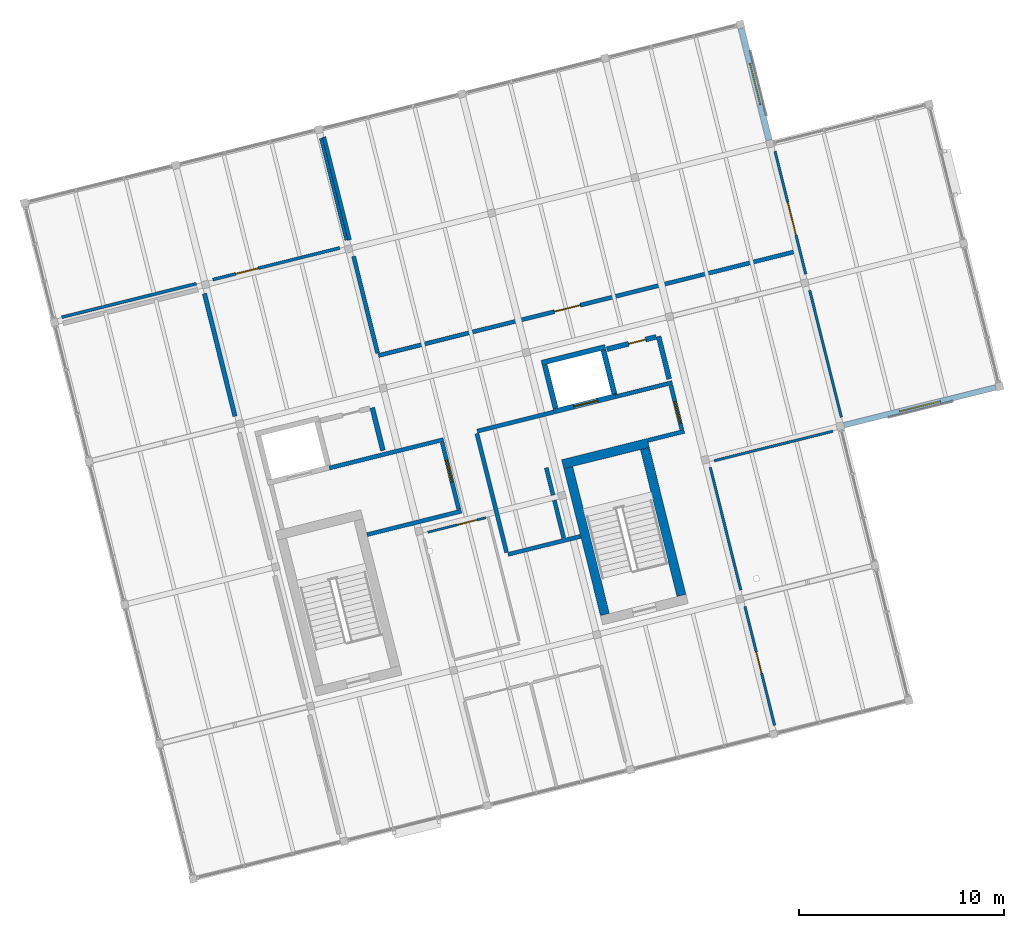
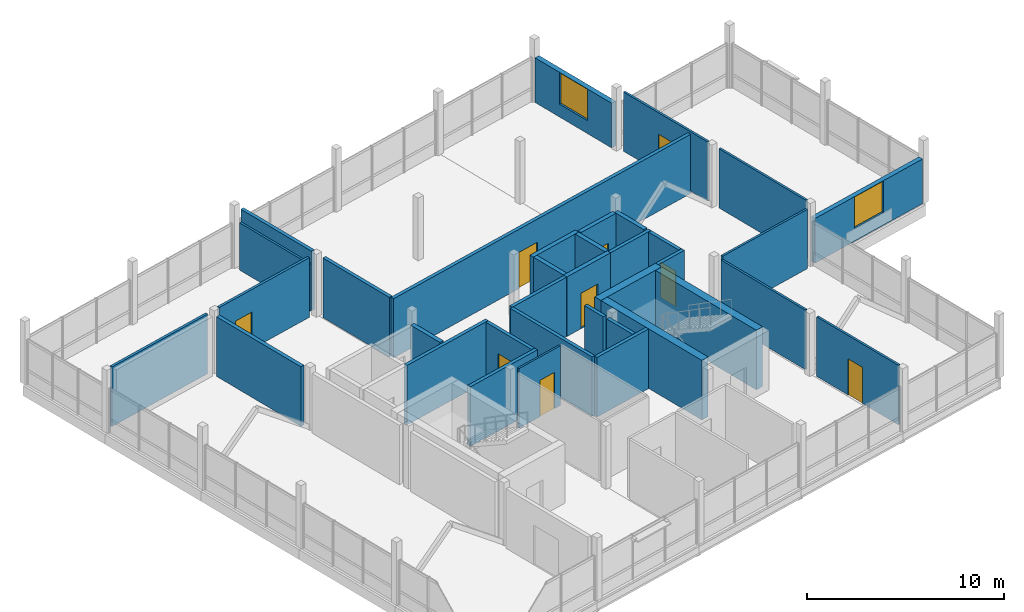
# One storey, part 24 of 26: 36 walls, 9 doors, 2 windows, 11 openings.
"""IFC4 building model written with IfcOpenShell, lengths in metres."""

from ifc_helpers import new_model, si_unit, direction, frame, frame_2d, origin, place, context, subcontext, project, spatial, rectangle, extrude, material, layer, layer_set, type_object, element, fill, save


model = new_model("IFC4")

# Units and contexts
model_context = context("Model", 3, precision=1e-05, world=origin(), true_north=direction((0.0, 1.0)))
body_context = subcontext(model_context, "Body", "Model", "MODEL_VIEW")
ifc_project = project(units=[si_unit("LENGTHUNIT", "METRE"), si_unit("AREAUNIT", "SQUARE_METRE"), si_unit("VOLUMEUNIT", "CUBIC_METRE"), si_unit("PLANEANGLEUNIT", "RADIAN"), si_unit("MASSUNIT", "GRAM", prefix="KILO")], contexts=[model_context])

# Site, building, storey
site_placement = place(None, origin())
site = spatial("IfcSite", under=ifc_project, at=site_placement, CompositionType="ELEMENT")
building_placement = place(site_placement, origin())
building = spatial("IfcBuilding", under=site, at=building_placement, Name="Meriwether Solvik Hall", CompositionType="ELEMENT")
storey_placement = place(building_placement, frame((0.0, 0.0, 41.699951171875)))
storey = spatial("IfcBuildingStorey", under=building, at=storey_placement, Name="L10", CompositionType="ELEMENT", Elevation=41.699951171875)

# Wall
ifc_material_1 = material(Name="Acoustic Mineral-Wool Double Gypsum Board", Category="gypsum")
ifc_layer_1 = layer(ifc_material_1, 0.219970703125)
ifc_layer_set_1 = layer_set([ifc_layer_1], Name="Acoustic Mineral-Wool Double Gypsum Board")
wall_type_1 = type_object("IfcWallType", Name="WALL-ACST-220", PredefinedType="PARTITIONING", material=ifc_layer_set_1)
wall_1_placement = place(storey_placement, frame((70.648193359375, 63.77978515625, 0.0), z_axis=(0.0, 0.0, 1.0), x_axis=(-0.241884380789, 0.970305078999, 0.0)))
element("IfcWall", 1, at=wall_1_placement, inside=storey, type_object=wall_type_1, Name="L10 Interior Partition conf_w_e_s4", PredefinedType="PARTITIONING", context=body_context, shape_type="SweptSolid", body=[
    extrude(rectangle(XDim=6.175048828125, YDim=0.219970703125, at=frame_2d((3.08740234375, 0.0))), origin(), (0.0, 0.0, 1.0), 3.699951171875),
])

# Wall, opening, window
ifc_material_2 = material(Name="Charred Western Red Cedar Timber and Mineral Wool", Category="wood")
ifc_layer_2 = layer(ifc_material_2, 0.27001953125)
ifc_layer_set_2 = layer_set([ifc_layer_2], Name="Charred Western Red Cedar Timber and Mineral Wool")
wall_type_2 = type_object("IfcWallType", Name="WALL-EXT-270", PredefinedType="SOLIDWALL", material=ifc_layer_set_2)
wall_2_placement = place(storey_placement, frame((107.765869140625, 65.1875, 0.0), z_axis=(0.0, 0.0, 1.0), x_axis=(-0.970302673932, -0.241894028369, 0.0)))
wall_2 = element("IfcWall", 2, at=wall_2_placement, inside=storey, type_object=wall_type_2, Name="L10 Timber Rainscreen Wall 3.0", PredefinedType="SOLIDWALL", context=body_context, shape_type="SweptSolid", body=[
    extrude(rectangle(XDim=7.611083984375, YDim=0.27001953125, at=frame_2d((3.8056640625, 0.0))), origin(), (0.0, 0.0, 1.0), 2.77001953125),
])
opening_1_placement = place(wall_2_placement, frame((2.780517578125, 0.0, 0.800048828125)))
opening_1 = element("IfcOpeningElement", 3, at=opening_1_placement, cuts=wall_2, Name="Opening WN-118", PredefinedType="OPENING", context=body_context, shape_type="SweptSolid", body=[
    extrude(rectangle(XDim=2.050048828125, YDim=1.949951171875, at=frame_2d((1.02490234375, 0.97509765625))), frame((0.0, 0.14697265625, 0.0), z_axis=(0.0, -1.0, 0.0), x_axis=(1.0, 0.0, 0.0)), (0.0, 0.0, 1.0), 0.2939453125),
])
ifc_material_3 = material(Name="Thermally Broken Anodised Aluminium and Triple Low-E Glass", Category="aluminium")
window_type = type_object("IfcWindowType", Name="WIN-TW-TRANS-205X195", PartitioningType="SINGLE_PANEL", PredefinedType="WINDOW", material=ifc_material_3)
window_1_placement = place(opening_1_placement, origin())
window_1 = element("IfcWindow", 4, at=window_1_placement, inside=storey, type_object=window_type, Name="L10 Punched Window 3.0", OverallHeight=1.949951171875, OverallWidth=2.050048828125, PartitioningType="SINGLE_PANEL", PredefinedType="WINDOW", context=body_context, shape_type="SweptSolid", body=[
    extrude(rectangle(XDim=2.050048828125, YDim=1.949951171875, at=frame_2d((1.02490234375, 0.97509765625))), frame((0.0, 0.030029296875, 0.0), z_axis=(0.0, -1.0, 0.0), x_axis=(1.0, 0.0, 0.0)), (0.0, 0.0, 1.0), 0.06005859375),
])
fill(opening_1, window_1)

ifc_material_4 = material(Name="Cross-Laminated Timber and Mineral-Wool Insulation", Category="wood")
ifc_layer_3 = layer(ifc_material_4, 0.2900390625)
ifc_layer_set_3 = layer_set([ifc_layer_3], Name="Cross-Laminated Timber and Mineral-Wool Insulation")
wall_type_3 = type_object("IfcWallType", Name="WALL-EXT-290", PredefinedType="SOLIDWALL", material=ifc_layer_set_3)
wall_3_placement = place(storey_placement, frame((95.352294921875, 82.71044921875, 0.0), z_axis=(0.0, 0.0, 1.0), x_axis=(0.241921303114, -0.970295873999, 0.0)))
wall_3 = element("IfcWall", 5, at=wall_3_placement, inside=storey, type_object=wall_type_3, Name="L10 Timber Rainscreen Wall 6.0", PredefinedType="SOLIDWALL", context=body_context, shape_type="SweptSolid", body=[
    extrude(rectangle(XDim=5.611083984375, YDim=0.2900390625, at=frame_2d((2.8056640625, 0.0))), origin(), (0.0, 0.0, 1.0), 2.77001953125),
])
opening_2_placement = place(wall_3_placement, frame((1.780517578125, 0.0, 0.800048828125)))
opening_2 = element("IfcOpeningElement", 6, at=opening_2_placement, cuts=wall_3, Name="Opening WN-118", PredefinedType="OPENING", context=body_context, shape_type="SweptSolid", body=[
    extrude(rectangle(XDim=2.050048828125, YDim=1.949951171875, at=frame_2d((1.02490234375, 0.97509765625))), frame((0.0, 0.156982421875, 0.0), z_axis=(0.0, -1.0, 0.0), x_axis=(1.0, 0.0, 0.0)), (0.0, 0.0, 1.0), 0.31396484375),
])
window_2_placement = place(opening_2_placement, origin())
window_2 = element("IfcWindow", 7, at=window_2_placement, inside=storey, type_object=window_type, Name="L10 Punched Window 6.0", OverallHeight=1.949951171875, OverallWidth=2.050048828125, PartitioningType="SINGLE_PANEL", PredefinedType="WINDOW", context=body_context, shape_type="SweptSolid", body=[
    extrude(rectangle(XDim=2.050048828125, YDim=1.949951171875, at=frame_2d((1.02490234375, 0.97509765625))), frame((0.0, 0.030029296875, 0.0), z_axis=(0.0, -1.0, 0.0), x_axis=(1.0, 0.0, 0.0)), (0.0, 0.0, 1.0), 0.06005859375),
])
fill(opening_2, window_2)

# Walls
ifc_material_5 = material(Name="Fire-Rated Type X Gypsum Board", Category="gypsum")
ifc_layer_4 = layer(ifc_material_5, 0.199951171875)
ifc_layer_set_4 = layer_set([ifc_layer_4], Name="Fire-Rated Type X Gypsum Board")
wall_type_4 = type_object("IfcWallType", Name="WALL-FIRE-200", PredefinedType="STANDARD", material=ifc_layer_set_4)
wall_4_placement = place(storey_placement, frame((77.096923828125, 58.0048828125, 0.0), z_axis=(0.0, 0.0, 1.0), x_axis=(0.970305892741, 0.241881116483, 0.0)))
element("IfcWall", 8, at=wall_4_placement, inside=storey, type_object=wall_type_4, Name="L10 Interior Partition lb1_s", PredefinedType="STANDARD", context=body_context, shape_type="SweptSolid", body=[
    extrude(rectangle(XDim=4.73974609375, YDim=0.199951171875, at=frame_2d((2.369873046875, 0.0))), origin(), (0.0, 0.0, 1.0), 3.699951171875),
])
wall_5_placement = place(storey_placement, frame((75.24609375, 61.25341796875, 0.0), z_axis=(0.0, 0.0, 1.0), x_axis=(0.970292173201, 0.24193614576, 0.0)))
element("IfcWall", 9, at=wall_5_placement, inside=storey, type_object=wall_type_4, Name="L10 Interior Partition lb1_n_cap", PredefinedType="STANDARD", context=body_context, shape_type="SweptSolid", body=[
    extrude(rectangle(XDim=5.75, YDim=0.199951171875, at=frame_2d((2.875, 0.0))), origin(), (0.0, 0.0, 1.0), 3.699951171875),
])

# Wall, opening, door
wall_6_placement = place(storey_placement, frame((80.75732421875, 62.50390625, 0.0), z_axis=(0.0, 0.0, 1.0), x_axis=(0.241885902723, -0.970304699599, 0.0)))
wall_6 = element("IfcWall", 10, at=wall_6_placement, inside=storey, type_object=wall_type_4, Name="L10 Interior Partition lb1_e", PredefinedType="STANDARD", context=body_context, shape_type="SweptSolid", body=[
    extrude(rectangle(XDim=3.360107421875, YDim=0.199951171875, at=frame_2d((1.68017578125, 0.0))), origin(), (0.0, 0.0, 1.0), 3.699951171875),
])
opening_3_placement = place(wall_6_placement, frame((0.889892578125, 0.0, 0.0)))
opening_3 = element("IfcOpeningElement", 11, at=opening_3_placement, cuts=wall_6, Name="Opening D-168", PredefinedType="OPENING", context=body_context, shape_type="SweptSolid", body=[
    extrude(rectangle(XDim=1.10009765625, YDim=2.199951171875, at=frame_2d((0.550048828125, 1.10009765625))), frame((0.0, 0.11181640625, 0.0), z_axis=(0.0, -1.0, 0.0), x_axis=(1.0, 0.0, 0.0)), (0.0, 0.0, 1.0), 0.223876953125),
])
ifc_material_6 = material(Name="Steel A36 Galvanised", Category="steel")
door_type_1 = type_object("IfcDoorType", Name="DR-FD60-1100L", OperationType="SINGLE_SWING_LEFT", PredefinedType="DOOR", material=ifc_material_6)
door_1_placement = place(opening_3_placement, origin())
door_1 = element("IfcDoor", 12, at=door_1_placement, inside=storey, type_object=door_type_1, Name="West FSAE Lift Lobby Door (L10)", OperationType="SINGLE_SWING_LEFT", OverallHeight=2.199951171875, OverallWidth=1.10009765625, PredefinedType="DOOR", context=body_context, shape_type="SweptSolid", body=[
    extrude(rectangle(XDim=1.10009765625, YDim=2.199951171875, at=frame_2d((0.550048828125, 1.10009765625))), frame((0.0, 0.02490234375, 0.0), z_axis=(0.0, -1.0, 0.0), x_axis=(1.0, 0.0, 0.0)), (0.0, 0.0, 1.0), 0.050048828125),
])
fill(opening_3, door_1)

# Walls
wall_7_placement = place(storey_placement, frame((82.452880859375, 62.93701171875, 0.0), z_axis=(0.0, 0.0, 1.0), x_axis=(0.241891967324, -0.970303187743, 0.0)))
element("IfcWall", 13, at=wall_7_placement, inside=storey, type_object=wall_type_4, Name="L10 Interior Partition lb2_w", PredefinedType="STANDARD", context=body_context, shape_type="SweptSolid", body=[
    extrude(rectangle(XDim=5.97998046875, YDim=0.199951171875, at=frame_2d((2.989990234375, 0.0))), origin(), (0.0, 0.0, 1.0), 3.699951171875),
])
wall_8_placement = place(storey_placement, frame((83.972412109375, 57.03955078125, 0.0), z_axis=(0.0, 0.0, 1.0), x_axis=(0.97030000841, 0.241904720251, 0.0)))
element("IfcWall", 14, at=wall_8_placement, inside=storey, type_object=wall_type_4, Name="L10 Interior Partition lb2_s_w", PredefinedType="STANDARD", context=body_context, shape_type="SweptSolid", body=[
    extrude(rectangle(XDim=3.642333984375, YDim=0.199951171875, at=frame_2d((1.8212890625, 0.0))), origin(), (0.0, 0.0, 1.0), 3.699951171875),
])
wall_9_placement = place(storey_placement, frame((86.691650390625, 57.841064453125, 0.0), z_axis=(0.0, 0.0, 1.0), x_axis=(-0.241992731984, 0.970278062035, 0.0)))
element("IfcWall", 15, at=wall_9_placement, inside=storey, type_object=wall_type_4, Name="L10 Interior Partition lb2_e_low", PredefinedType="STANDARD", context=body_context, shape_type="SweptSolid", body=[
    extrude(rectangle(XDim=1.90478515625, YDim=0.199951171875, at=frame_2d((0.952392578125, 0.0))), origin(), (0.0, 0.0, 1.0), 3.699951171875),
])
wall_10_placement = place(storey_placement, frame((86.169921875, 59.932861328125, 0.0), z_axis=(0.0, 0.0, 1.0), x_axis=(-0.241824833036, 0.970319921535, 0.0)))
element("IfcWall", 16, at=wall_10_placement, inside=storey, type_object=wall_type_4, Name="L10 Interior Partition lb2_e_low_s2", PredefinedType="STANDARD", context=body_context, shape_type="SweptSolid", body=[
    extrude(rectangle(XDim=1.3740234375, YDim=0.199951171875, at=frame_2d((0.68701171875, 0.0))), origin(), (0.0, 0.0, 1.0), 3.699951171875),
])
wall_11_placement = place(storey_placement, frame((82.47265625, 63.05517578125, 0.0), z_axis=(0.0, 0.0, 1.0), x_axis=(0.970284368558, 0.241967444366, 0.0)))
element("IfcWall", 17, at=wall_11_placement, inside=storey, type_object=wall_type_4, Name="L10 Interior Partition lb2_n_cap_w", PredefinedType="STANDARD", context=body_context, shape_type="SweptSolid", body=[
    extrude(rectangle(XDim=3.84228515625, YDim=0.199951171875, at=frame_2d((1.921142578125, 0.0))), origin(), (0.0, 0.0, 1.0), 3.699951171875),
])
wall_12_placement = place(storey_placement, frame((90.791015625, 62.604248046875, 0.0), z_axis=(0.0, 0.0, 1.0), x_axis=(0.970306180373, 0.241879962645, 0.0)))
element("IfcWall", 18, at=wall_12_placement, inside=storey, type_object=wall_type_4, Name="L10 Interior Partition lb2_s", PredefinedType="STANDARD", context=body_context, shape_type="SweptSolid", body=[
    extrude(rectangle(XDim=1.840087890625, YDim=0.199951171875, at=frame_2d((0.919921875, 0.0))), origin(), (0.0, 0.0, 1.0), 3.699951171875),
])
wall_13_placement = place(storey_placement, frame((89.21826171875, 64.737060546875, 0.0), z_axis=(0.0, 0.0, 1.0), x_axis=(0.97027839681, 0.241991389687, 0.0)))
element("IfcWall", 19, at=wall_13_placement, inside=storey, type_object=wall_type_4, Name="L10 Interior Partition lb2_n_cap", PredefinedType="STANDARD", context=body_context, shape_type="SweptSolid", body=[
    extrude(rectangle(XDim=2.85009765625, YDim=0.199951171875, at=frame_2d((1.425048828125, 0.0))), origin(), (0.0, 0.0, 1.0), 3.699951171875),
])

# Wall, opening, door
wall_14_placement = place(storey_placement, frame((91.91552734375, 65.2861328125, 0.0), z_axis=(0.0, 0.0, 1.0), x_axis=(0.241911789465, -0.970298245963, 0.0)))
wall_14 = element("IfcWall", 20, at=wall_14_placement, inside=storey, type_object=wall_type_4, Name="L10 Interior Partition lb2_e", PredefinedType="STANDARD", context=body_context, shape_type="SweptSolid", body=[
    extrude(rectangle(XDim=2.210205078125, YDim=0.199951171875, at=frame_2d((1.10498046875, 0.0))), origin(), (0.0, 0.0, 1.0), 3.699951171875),
])
opening_4_placement = place(wall_14_placement, frame((0.81005859375, 0.0, 0.0)))
opening_4 = element("IfcOpeningElement", 21, at=opening_4_placement, cuts=wall_14, Name="Opening D-168", PredefinedType="OPENING", context=body_context, shape_type="SweptSolid", body=[
    extrude(rectangle(XDim=1.10009765625, YDim=2.199951171875, at=frame_2d((0.550048828125, 1.10009765625))), frame((0.0, 0.11181640625, 0.0), z_axis=(0.0, -1.0, 0.0), x_axis=(1.0, 0.0, 0.0)), (0.0, 0.0, 1.0), 0.223876953125),
])
door_2_placement = place(opening_4_placement, origin())
door_2 = element("IfcDoor", 22, at=door_2_placement, inside=storey, type_object=door_type_1, Name="East FSAE Lift Lobby Door (L10)", OperationType="SINGLE_SWING_LEFT", OverallHeight=2.199951171875, OverallWidth=1.10009765625, PredefinedType="DOOR", context=body_context, shape_type="SweptSolid", body=[
    extrude(rectangle(XDim=1.10009765625, YDim=2.199951171875, at=frame_2d((0.550048828125, 1.10009765625))), frame((0.0, 0.02490234375, 0.0), z_axis=(0.0, -1.0, 0.0), x_axis=(1.0, 0.0, 0.0)), (0.0, 0.0, 1.0), 0.050048828125),
])
fill(opening_4, door_2)

wall_15_placement = place(storey_placement, frame((77.638427734375, 66.745361328125, 0.0), z_axis=(0.0, 0.0, 1.0), x_axis=(0.970296248646, 0.241919800477, 0.0)))
wall_15 = element("IfcWall", 23, at=wall_15_placement, inside=storey, type_object=wall_type_4, Name="L10 Interior Partition arc_nc_s", PredefinedType="STANDARD", context=body_context, shape_type="SweptSolid", body=[
    extrude(rectangle(XDim=20.989990234375, YDim=0.199951171875, at=frame_2d((10.4951171875, 0.0))), origin(), (0.0, 0.0, 1.0), 3.679931640625),
])
opening_5_placement = place(wall_15_placement, frame((8.86083984375, 0.0, 0.0)))
opening_5 = element("IfcOpeningElement", 24, at=opening_5_placement, cuts=wall_15, Name="Opening D-162", PredefinedType="OPENING", context=body_context, shape_type="SweptSolid", body=[
    extrude(rectangle(XDim=1.300048828125, YDim=2.25, at=frame_2d((0.64990234375, 1.125))), frame((0.0, 0.11181640625, 0.0), z_axis=(0.0, -1.0, 0.0), x_axis=(1.0, 0.0, 0.0)), (0.0, 0.0, 1.0), 0.223876953125),
])
ifc_material_7 = material(Name="Steel A36 Galvanised", Category="steel")
door_type_2 = type_object("IfcDoorType", Name="DR-FD60-1300L", OperationType="SINGLE_SWING_LEFT", PredefinedType="DOOR", material=ifc_material_7)
door_3_placement = place(opening_5_placement, origin())
door_3 = element("IfcDoor", 25, at=door_3_placement, inside=storey, type_object=door_type_2, Name="L10 Digital Oral History Archive Door", OperationType="SINGLE_SWING_LEFT", OverallHeight=2.25, OverallWidth=1.300048828125, PredefinedType="DOOR", context=body_context, shape_type="SweptSolid", body=[
    extrude(rectangle(XDim=1.300048828125, YDim=2.25, at=frame_2d((0.64990234375, 1.125))), frame((0.0, 0.02490234375, 0.0), z_axis=(0.0, -1.0, 0.0), x_axis=(1.0, 0.0, 0.0)), (0.0, 0.0, 1.0), 0.050048828125),
])
fill(opening_5, door_3)

# Walls
wall_16_placement = place(storey_placement, frame((74.980712890625, 77.405517578125, 0.0), z_axis=(0.0, 0.0, 1.0), x_axis=(0.241925047615, -0.970294940385, 0.0)))
element("IfcWall", 26, at=wall_16_placement, inside=storey, type_object=wall_type_4, Name="L10 Interior Partition arc_nc_w", PredefinedType="STANDARD", context=body_context, shape_type="SweptSolid", body=[
    extrude(rectangle(XDim=5.175048828125, YDim=0.199951171875, at=frame_2d((2.58740234375, 0.0))), origin(), (0.0, 0.0, 1.0), 3.699951171875),
])
wall_17_placement = place(storey_placement, frame((76.43212890625, 71.583740234375, 0.0), z_axis=(0.0, 0.0, 1.0), x_axis=(0.241909950511, -0.970298704443, 0.0)))
element("IfcWall", 27, at=wall_17_placement, inside=storey, type_object=wall_type_4, Name="L10 Interior Partition arc_nc_w_s2", PredefinedType="STANDARD", context=body_context, shape_type="SweptSolid", body=[
    extrude(rectangle(XDim=4.866455078125, YDim=0.199951171875, at=frame_2d((2.43310546875, 0.0))), origin(), (0.0, 0.0, 1.0), 3.699951171875),
])

# Wall, opening, door
ifc_material_8 = material(Name="Tempered Laminated Glass in Anodised Aluminium Frame", Category="aluminium")
ifc_layer_5 = layer(ifc_material_8, 0.112060546875)
ifc_layer_set_5 = layer_set([ifc_layer_5], Name="Tempered Laminated Glass in Anodised Aluminium Frame")
wall_type_5 = type_object("IfcWallType", Name="WALL-GLZ-112", PredefinedType="PARTITIONING", material=ifc_layer_set_5)
wall_18_placement = place(storey_placement, frame((82.88916015625, 58.83056640625, 0.0), z_axis=(0.0, 0.0, 1.0), x_axis=(-0.970294852546, -0.241925399911, 0.0)))
wall_18 = element("IfcWall", 28, at=wall_18_placement, inside=storey, type_object=wall_type_5, Name="L10 Interior Partition sem_mid_n", PredefinedType="PARTITIONING", context=body_context, shape_type="SweptSolid", body=[
    extrude(rectangle(XDim=2.91845703125, YDim=0.112060546875, at=frame_2d((1.459228515625, 0.0))), origin(), (0.0, 0.0, 1.0), 3.699951171875),
])
opening_6_placement = place(wall_18_placement, frame((0.429931640625, 0.0, 0.0)))
opening_6 = element("IfcOpeningElement", 29, at=opening_6_placement, cuts=wall_18, Name="Opening D-166", PredefinedType="OPENING", context=body_context, shape_type="SweptSolid", body=[
    extrude(rectangle(XDim=1.0, YDim=2.25, at=frame_2d((0.5, 1.125))), frame((0.0, 0.06787109375, 0.0), z_axis=(0.0, -1.0, 0.0), x_axis=(1.0, 0.0, 0.0)), (0.0, 0.0, 1.0), 0.135986328125),
])
ifc_material_9 = material(Name="Laminated Vision Glass and Solid White Oak Timber", Category="wood")
door_type_3 = type_object("IfcDoorType", Name="DR-OFF-1000L", OperationType="SINGLE_SWING_LEFT", PredefinedType="DOOR", material=ifc_material_9)
door_4_placement = place(opening_6_placement, origin())
door_4 = element("IfcDoor", 30, at=door_4_placement, inside=storey, type_object=door_type_3, Name="L10 Colloquium Huddle Room Door", OperationType="SINGLE_SWING_LEFT", OverallHeight=2.25, OverallWidth=1.0, PredefinedType="DOOR", context=body_context, shape_type="SweptSolid", body=[
    extrude(rectangle(XDim=1.0, YDim=2.25, at=frame_2d((0.5, 1.125))), frame((0.0, 0.02490234375, 0.0), z_axis=(0.0, -1.0, 0.0), x_axis=(1.0, 0.0, 0.0)), (0.0, 0.0, 1.0), 0.050048828125),
])
fill(opening_6, door_4)

# Walls
ifc_material_10 = material(Name="Concrete C40/50", Category="concrete")
ifc_layer_6 = layer(ifc_material_10, 0.25)
ifc_layer_set_6 = layer_set([ifc_layer_6], Name="Concrete C40/50")
wall_type_6 = type_object("IfcWallType", Name="WALL-HOIST-250", PredefinedType="SHEAR", material=ifc_layer_set_6)
wall_19_placement = place(storey_placement, frame((88.716552734375, 67.162841796875, 0.0), z_axis=(0.0, 0.0, 1.0), x_axis=(-0.970294894235, -0.241925232711, 0.0)))
element("IfcWall", 31, at=wall_19_placement, inside=storey, type_object=wall_type_6, Name="Hoistway BANK2 North Wall (L10)", PredefinedType="SHEAR", context=body_context, shape_type="SweptSolid", body=[
    extrude(rectangle(XDim=3.199951171875, YDim=0.25, at=frame_2d((1.60009765625, 0.0))), origin(), (0.0, 0.0, 1.0), 3.699951171875),
])
for number, where, z_axis, x_axis, name in (
    (32, (85.765625, 66.287841796875, 0.0), (0.0, 0.0, 1.0), (0.241903146974, -0.970300400641, 0.0), "Hoistway BANK2 West Wall (L10)"),
    (33, (89.1552734375, 64.886474609375, 0.0), (0.0, 0.0, 1.0), (-0.241903146974, 0.970300400641, 0.0), "Hoistway BANK2 East Wall (L10)"),
):
    element("IfcWall", number, at=place(storey_placement, frame(where, z_axis=z_axis, x_axis=x_axis)), inside=storey, type_object=wall_type_6, Name=name, PredefinedType="SHEAR", context=body_context, shape_type="SweptSolid", body=[
        extrude(rectangle(XDim=2.179931640625, YDim=0.25, at=frame_2d((1.08984375, 0.0))), origin(), (0.0, 0.0, 1.0), 3.699951171875),
    ])

# Wall, opening, door
wall_20_placement = place(storey_placement, frame((86.204345703125, 64.011474609375, 0.0), z_axis=(0.0, 0.0, 1.0), x_axis=(0.970294894235, 0.241925232711, 0.0)))
wall_20 = element("IfcWall", 34, at=wall_20_placement, inside=storey, type_object=wall_type_6, Name="Lift LF-02 Landing Wall (L10)", PredefinedType="SHEAR", context=body_context, shape_type="SweptSolid", body=[
    extrude(rectangle(XDim=3.199951171875, YDim=0.25, at=frame_2d((1.60009765625, 0.0))), origin(), (0.0, 0.0, 1.0), 3.699951171875),
])
opening_7_placement = place(wall_20_placement, frame((1.0, 0.0, 0.0)))
opening_7 = element("IfcOpeningElement", 35, at=opening_7_placement, cuts=wall_20, Name="Opening LD-02", PredefinedType="OPENING", context=body_context, shape_type="SweptSolid", body=[
    extrude(rectangle(XDim=1.199951171875, YDim=2.199951171875, at=frame_2d((0.60009765625, 1.10009765625))), frame((0.0, 0.136962890625, 0.0), z_axis=(0.0, -1.0, 0.0), x_axis=(1.0, 0.0, 0.0)), (0.0, 0.0, 1.0), 0.27392578125),
])
ifc_material_11 = material(Name="Stainless Steel AISI 316", Category="steel")
door_type_4 = type_object("IfcDoorType", Name="DR-LIFT-FSAE", OperationType="DOUBLE_DOOR_SLIDING", PredefinedType="DOOR", material=ifc_material_11)
door_5_placement = place(opening_7_placement, origin())
door_5 = element("IfcDoor", 36, at=door_5_placement, inside=storey, type_object=door_type_4, Name="Lift Landing Door LF-02 (L10)", OperationType="DOUBLE_DOOR_SLIDING", OverallHeight=2.199951171875, OverallWidth=1.199951171875, PredefinedType="DOOR", context=body_context, shape_type="SweptSolid", body=[
    extrude(rectangle(XDim=1.199951171875, YDim=2.199951171875, at=frame_2d((0.60009765625, 1.10009765625))), frame((0.0, 0.02490234375, 0.0), z_axis=(0.0, -1.0, 0.0), x_axis=(1.0, 0.0, 0.0)), (0.0, 0.0, 1.0), 0.050048828125),
])
fill(opening_7, door_5)

# Walls
ifc_material_12 = material(Name="Gypsum Board Partition", Category="gypsum")
ifc_layer_7 = layer(ifc_material_12, 0.125)
ifc_layer_set_7 = layer_set([ifc_layer_7], Name="Gypsum Board Partition")
wall_type_7 = type_object("IfcWallType", Name="WALL-PART-125", PredefinedType="PARTITIONING", material=ifc_layer_set_7)
wall_21_placement = place(storey_placement, frame((99.8271484375, 63.0537109375, 0.0), z_axis=(0.0, 0.0, 1.0), x_axis=(-0.970293732071, -0.24192989378, 0.0)))
element("IfcWall", 37, at=wall_21_placement, inside=storey, type_object=wall_type_7, Name="L10 Interior Partition off_se_n", PredefinedType="PARTITIONING", context=body_context, shape_type="SweptSolid", body=[
    extrude(rectangle(XDim=5.97509765625, YDim=0.125, at=frame_2d((2.987548828125, 0.0))), origin(), (0.0, 0.0, 1.0), 3.679931640625),
])
wall_22_placement = place(storey_placement, frame((93.839599609375, 61.289306640625, 0.0), z_axis=(0.0, 0.0, 1.0), x_axis=(0.241921603562, -0.970295799089, 0.0)))
element("IfcWall", 38, at=wall_22_placement, inside=storey, type_object=wall_type_7, Name="L10 Interior Partition off_se_w", PredefinedType="PARTITIONING", context=body_context, shape_type="SweptSolid", body=[
    extrude(rectangle(XDim=6.175048828125, YDim=0.125, at=frame_2d((3.08740234375, 0.0))), origin(), (0.0, 0.0, 1.0), 3.699951171875),
])

# Wall, opening, door
wall_23_placement = place(storey_placement, frame((95.533203125, 54.497314453125, 0.0), z_axis=(0.0, 0.0, 1.0), x_axis=(0.24192989378, -0.970293732071, 0.0)))
wall_23 = element("IfcWall", 39, at=wall_23_placement, inside=storey, type_object=wall_type_7, Name="L10 Interior Partition off_se_w_s2", PredefinedType="PARTITIONING", context=body_context, shape_type="SweptSolid", body=[
    extrude(rectangle(XDim=5.97509765625, YDim=0.125, at=frame_2d((2.987548828125, 0.0))), origin(), (0.0, 0.0, 1.0), 3.699951171875),
])
opening_8_placement = place(wall_23_placement, frame((2.306396484375, 0.0, 0.0)))
opening_8 = element("IfcOpeningElement", 40, at=opening_8_placement, cuts=wall_23, Name="Opening D-164", PredefinedType="OPENING", context=body_context, shape_type="SweptSolid", body=[
    extrude(rectangle(XDim=1.050048828125, YDim=2.25, at=frame_2d((0.52490234375, 1.125))), frame((0.0, 0.074462890625, 0.0), z_axis=(0.0, -1.0, 0.0), x_axis=(1.0, 0.0, 0.0)), (0.0, 0.0, 1.0), 0.14892578125),
])
ifc_material_13 = material(Name="Solid-Core Rift White Oak Timber", Category="wood")
door_type_5 = type_object("IfcDoorType", Name="DR-FEL-1050R", OperationType="SINGLE_SWING_RIGHT", PredefinedType="DOOR", material=ifc_material_13)
door_6_placement = place(opening_8_placement, origin())
door_6 = element("IfcDoor", 41, at=door_6_placement, inside=storey, type_object=door_type_5, Name="L10 Executive Administration Suite Door", OperationType="SINGLE_SWING_RIGHT", OverallHeight=2.25, OverallWidth=1.050048828125, PredefinedType="DOOR", context=body_context, shape_type="SweptSolid", body=[
    extrude(rectangle(XDim=1.050048828125, YDim=2.25, at=frame_2d((0.52490234375, 1.125))), frame((0.0, 0.02490234375, 0.0), z_axis=(0.0, -1.0, 0.0), x_axis=(1.0, 0.0, 0.0)), (0.0, 0.0, 1.0), 0.050048828125),
])
fill(opening_8, door_6)

wall_24_placement = place(storey_placement, frame((97.00244140625, 76.712646484375, 0.0), z_axis=(0.0, 0.0, 1.0), x_axis=(0.241921603562, -0.970295799089, 0.0)))
wall_24 = element("IfcWall", 42, at=wall_24_placement, inside=storey, type_object=wall_type_7, Name="L10 Interior Partition off_ee_w", PredefinedType="PARTITIONING", context=body_context, shape_type="SweptSolid", body=[
    extrude(rectangle(XDim=6.175048828125, YDim=0.125, at=frame_2d((3.08740234375, 0.0))), origin(), (0.0, 0.0, 1.0), 3.679931640625),
])
opening_9_placement = place(wall_24_placement, frame((2.57421875, 0.0, 0.0)))
opening_9 = element("IfcOpeningElement", 43, at=opening_9_placement, cuts=wall_24, Name="Opening D-137", PredefinedType="OPENING", context=body_context, shape_type="SweptSolid", body=[
    extrude(rectangle(XDim=1.64990234375, YDim=2.35009765625, at=frame_2d((0.824951171875, 1.175048828125))), frame((0.0, 0.074462890625, 0.0), z_axis=(0.0, -1.0, 0.0), x_axis=(1.0, 0.0, 0.0)), (0.0, 0.0, 1.0), 0.14892578125),
])
ifc_material_14 = material(Name="Laminated Vision Glass and Solid White Oak Timber", Category="wood")
door_type_6 = type_object("IfcDoorType", Name="DR-INT-1650", OperationType="DOUBLE_DOOR_SINGLE_SWING", PredefinedType="DOOR", material=ifc_material_14)
door_7_placement = place(opening_9_placement, origin())
door_7 = element("IfcDoor", 44, at=door_7_placement, inside=storey, type_object=door_type_6, Name="L10 Philanthropy Foundation Suite Door", OperationType="DOUBLE_DOOR_SINGLE_SWING", OverallHeight=2.35009765625, OverallWidth=1.64990234375, PredefinedType="DOOR", context=body_context, shape_type="SweptSolid", body=[
    extrude(rectangle(XDim=1.64990234375, YDim=2.35009765625, at=frame_2d((0.824951171875, 1.175048828125))), frame((0.0, 0.02490234375, 0.0), z_axis=(0.0, -1.0, 0.0), x_axis=(1.0, 0.0, 0.0)), (0.0, 0.0, 1.0), 0.050048828125),
])
fill(opening_9, door_7)

# Walls
wall_25_placement = place(storey_placement, frame((98.69580078125, 69.92041015625, 0.0), z_axis=(0.0, 0.0, 1.0), x_axis=(0.241913833542, -0.970297736337, 0.0)))
element("IfcWall", 45, at=wall_25_placement, inside=storey, type_object=wall_type_7, Name="L10 Interior Partition off_ee_w_s2", PredefinedType="PARTITIONING", context=body_context, shape_type="SweptSolid", body=[
    extrude(rectangle(XDim=6.375244140625, YDim=0.125, at=frame_2d((3.1875, 0.0))), origin(), (0.0, 0.0, 1.0), 3.679931640625),
])
ifc_material_15 = material(Name="Gypsum Board Partition", Category="gypsum")
ifc_layer_8 = layer(ifc_material_15, 0.14990234375)
ifc_layer_set_8 = layer_set([ifc_layer_8], Name="Gypsum Board Partition")
wall_type_8 = type_object("IfcWallType", Name="WALL-PART-150", PredefinedType="PARTITIONING", material=ifc_layer_set_8)
wall_26_placement = place(storey_placement, frame((62.191162109375, 68.61376953125, 0.0), z_axis=(0.0, 0.0, 1.0), x_axis=(0.97029069988, 0.241942054482, 0.0)))
element("IfcWall", 46, at=wall_26_placement, inside=storey, type_object=wall_type_8, Name="L10 Interior Partition fel_nw_s", PredefinedType="PARTITIONING", context=body_context, shape_type="SweptSolid", body=[
    extrude(rectangle(XDim=6.77490234375, YDim=0.14990234375, at=frame_2d((3.387451171875, 0.0))), origin(), (0.0, 0.0, 1.0), 3.699951171875),
])

# Wall, opening, door
wall_27_placement = place(storey_placement, frame((69.5654296875, 70.452392578125, 0.0), z_axis=(0.0, 0.0, 1.0), x_axis=(0.970297736337, 0.241913833542, 0.0)))
wall_27 = element("IfcWall", 47, at=wall_27_placement, inside=storey, type_object=wall_type_8, Name="L10 Interior Partition fel_nw_s_s2", PredefinedType="PARTITIONING", context=body_context, shape_type="SweptSolid", body=[
    extrude(rectangle(XDim=6.375244140625, YDim=0.14990234375, at=frame_2d((3.1875, 0.0))), origin(), (0.0, 0.0, 1.0), 3.699951171875),
])
opening_10_placement = place(wall_27_placement, frame((1.142333984375, 0.0, 0.0)))
opening_10 = element("IfcOpeningElement", 48, at=opening_10_placement, cuts=wall_27, Name="Opening D-149", PredefinedType="OPENING", context=body_context, shape_type="SweptSolid", body=[
    extrude(rectangle(XDim=1.14990234375, YDim=2.300048828125, at=frame_2d((0.574951171875, 1.14990234375))), frame((0.0, 0.0869140625, 0.0), z_axis=(0.0, -1.0, 0.0), x_axis=(1.0, 0.0, 0.0)), (0.0, 0.0, 1.0), 0.173828125),
])
ifc_material_16 = material(Name="Laminated Vision Glass and Solid White Oak Timber", Category="wood")
door_type_7 = type_object("IfcDoorType", Name="DR-SEM-1150L", OperationType="SINGLE_SWING_LEFT", PredefinedType="DOOR", material=ifc_material_16)
door_8_placement = place(opening_10_placement, origin())
door_8 = element("IfcDoor", 49, at=door_8_placement, inside=storey, type_object=door_type_7, Name="L10 Visiting Scholars Seminar Door", OperationType="SINGLE_SWING_LEFT", OverallHeight=2.300048828125, OverallWidth=1.14990234375, PredefinedType="DOOR", context=body_context, shape_type="SweptSolid", body=[
    extrude(rectangle(XDim=1.14990234375, YDim=2.300048828125, at=frame_2d((0.574951171875, 1.14990234375))), frame((0.0, 0.02490234375, 0.0), z_axis=(0.0, -1.0, 0.0), x_axis=(1.0, 0.0, 0.0)), (0.0, 0.0, 1.0), 0.050048828125),
])
fill(opening_10, door_8)

# Walls
wall_28_placement = place(storey_placement, frame((76.08056640625, 72.3740234375, 0.0), z_axis=(0.0, 0.0, 1.0), x_axis=(-0.241941301347, 0.970290887674, 0.0)))
element("IfcWall", 50, at=wall_28_placement, inside=storey, type_object=wall_type_8, Name="L10 Interior Partition fel_nw_e", PredefinedType="PARTITIONING", context=body_context, shape_type="SweptSolid", body=[
    extrude(rectangle(XDim=5.123046875, YDim=0.14990234375, at=frame_2d((2.5615234375, 0.0))), origin(), (0.0, 0.0, 1.0), 2.93994140625),
])
ifc_material_17 = material(Name="Concrete C45/55", Category="concrete")
ifc_layer_9 = layer(ifc_material_17, 0.449951171875)
ifc_layer_set_9 = layer_set([ifc_layer_9], Name="Concrete C45/55")
wall_type_9 = type_object("IfcWallType", Name="WALL-RC-450", PredefinedType="SHEAR", material=ifc_layer_set_9)
wall_29_placement = place(storey_placement, frame((90.8115234375, 62.48046875, 0.0), z_axis=(0.0, 0.0, 1.0), x_axis=(-0.970309259708, -0.2418676095, 0.0)))
element("IfcWall", 51, at=wall_29_placement, inside=storey, type_object=wall_type_9, Name="CORE-2 Shear Wall N (L10)", PredefinedType="SHEAR", context=body_context, shape_type="SweptSolid", body=[
    extrude(rectangle(XDim=4.300048828125, YDim=0.449951171875, at=frame_2d((2.14990234375, 0.0))), origin(), (0.0, 0.0, 1.0), 3.699951171875),
])
for number, where, z_axis, x_axis, name in (
    (52, (86.91455078125, 61.266845703125, 0.0), (0.0, 0.0, 1.0), (0.241889515465, -0.970303798976, 0.0), "CORE-2 Shear Wall W (L10)"),
    (53, (92.435546875, 55.037353515625, 0.0), (0.0, 0.0, 1.0), (-0.241920660665, 0.970296034179, 0.0), "CORE-2 Shear Wall E (L10)"),
):
    element("IfcWall", number, at=place(storey_placement, frame(where, z_axis=z_axis, x_axis=x_axis)), inside=storey, type_object=wall_type_9, Name=name, PredefinedType="SHEAR", context=body_context, shape_type="SweptSolid", body=[
        extrude(rectangle(XDim=7.380126953125, YDim=0.449951171875, at=frame_2d((3.68994140625, 0.0))), origin(), (0.0, 0.0, 1.0), 3.699951171875),
    ])
ifc_material_18 = material(Name="Concrete C35/45", Category="concrete")
ifc_layer_10 = layer(ifc_material_18, 0.239990234375)
ifc_layer_set_10 = layer_set([ifc_layer_10], Name="Concrete C35/45")
wall_type_10 = type_object("IfcWallType", Name="WALL-SHAFT-240", PredefinedType="STANDARD", material=ifc_layer_set_10)
for number, where, z_axis, x_axis, name in (
    (54, (77.865966796875, 62.11279296875, 0.0), (0.0, 0.0, 1.0), (-0.2418676095, 0.970309259708, 0.0), "L10 Interior Partition riser1_e"),
    (55, (91.838134765625, 65.596435546875, 0.0), (0.0, 0.0, 1.0), (-0.2418676095, 0.970309259708, 0.0), "L10 Interior Partition riser2_e"),
):
    element("IfcWall", number, at=place(storey_placement, frame(where, z_axis=z_axis, x_axis=x_axis)), inside=storey, type_object=wall_type_10, Name=name, PredefinedType="STANDARD", context=body_context, shape_type="SweptSolid", body=[
        extrude(rectangle(XDim=2.14990234375, YDim=0.239990234375, at=frame_2d((1.074951171875, 0.0))), origin(), (0.0, 0.0, 1.0), 3.699951171875),
    ])

# Wall, opening, door
wall_30_placement = place(storey_placement, frame((91.20166015625, 67.653564453125, 0.0), z_axis=(0.0, 0.0, 1.0), x_axis=(-0.970304433136, -0.241886971613, 0.0)))
wall_30 = element("IfcWall", 56, at=wall_30_placement, inside=storey, type_object=wall_type_10, Name="L10 Interior Partition riser2_n", PredefinedType="STANDARD", context=body_context, shape_type="SweptSolid", body=[
    extrude(rectangle(XDim=2.47998046875, YDim=0.239990234375, at=frame_2d((1.239990234375, 0.0))), origin(), (0.0, 0.0, 1.0), 3.699951171875),
])
opening_11_placement = place(wall_30_placement, frame((0.530029296875, 0.0, 0.0)))
opening_11 = element("IfcOpeningElement", 57, at=opening_11_placement, cuts=wall_30, Name="Opening D-186", PredefinedType="OPENING", context=body_context, shape_type="SweptSolid", body=[
    extrude(rectangle(XDim=0.85009765625, YDim=2.10009765625, at=frame_2d((0.425048828125, 1.050048828125))), frame((0.0, 0.1318359375, 0.0), z_axis=(0.0, -1.0, 0.0), x_axis=(1.0, 0.0, 0.0)), (0.0, 0.0, 1.0), 0.263916015625),
])
ifc_material_19 = material(Name="Steel A36 Galvanised", Category="steel")
door_type_8 = type_object("IfcDoorType", Name="DR-FD60-850R", OperationType="SINGLE_SWING_RIGHT", PredefinedType="DOOR", material=ifc_material_19)
door_9_placement = place(opening_11_placement, origin())
door_9 = element("IfcDoor", 58, at=door_9_placement, inside=storey, type_object=door_type_8, Name="Electrical Riser Closet Door (L10)", OperationType="SINGLE_SWING_RIGHT", OverallHeight=2.10009765625, OverallWidth=0.85009765625, PredefinedType="DOOR", context=body_context, shape_type="SweptSolid", body=[
    extrude(rectangle(XDim=0.85009765625, YDim=2.10009765625, at=frame_2d((0.425048828125, 1.050048828125))), frame((0.0, 0.02490234375, 0.0), z_axis=(0.0, -1.0, 0.0), x_axis=(1.0, 0.0, 0.0)), (0.0, 0.0, 1.0), 0.050048828125),
])
fill(opening_11, door_9)

save(model, "model.ifc")
